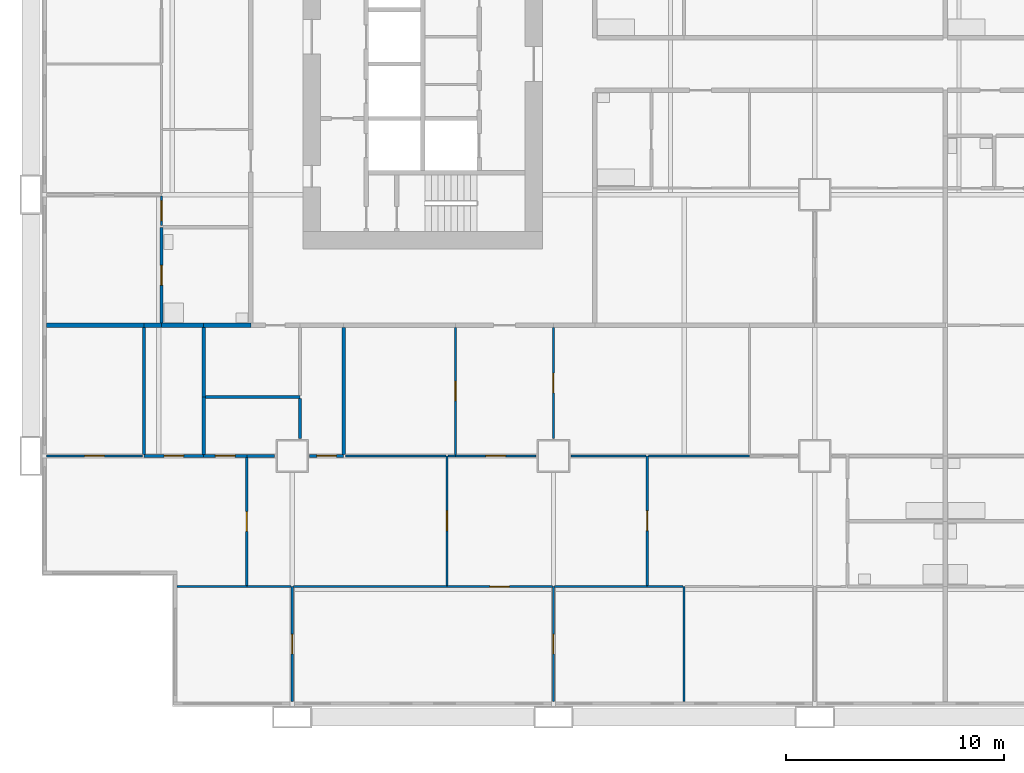
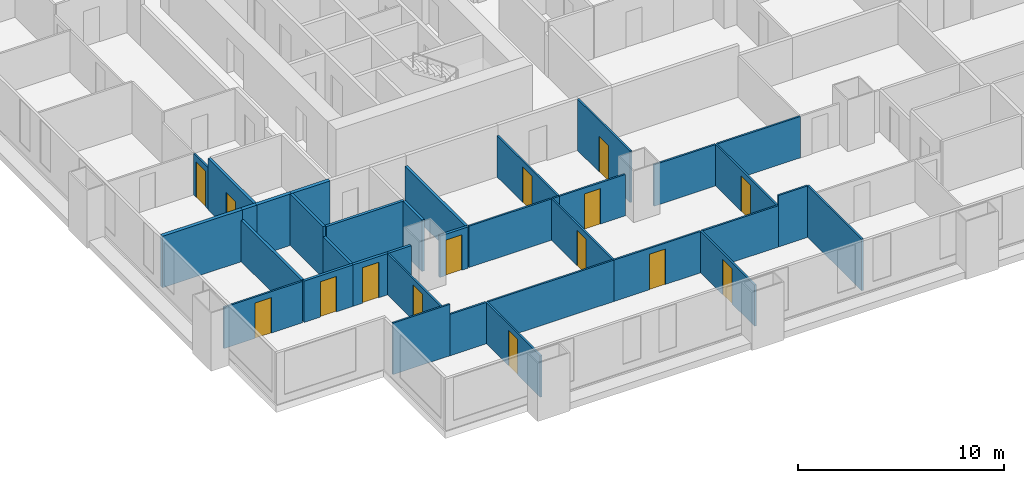
# One storey, part 2 of 14: 36 walls, 15 doors, 15 openings.
"""IFC4 building model written with IfcOpenShell, lengths in metres."""

from ifc_helpers import new_model, si_unit, direction, frame, frame_2d, origin, place, context, subcontext, project, spatial, rectangle, extrude, material, layer, layer_set, type_object, element, fill, save


model = new_model("IFC4")

# Units and contexts
model_context = context("Model", 3, precision=1e-05, world=origin(), true_north=direction((0.0, 1.0)))
body_context = subcontext(model_context, "Body", "Model", "MODEL_VIEW")
ifc_project = project(units=[si_unit("LENGTHUNIT", "METRE"), si_unit("AREAUNIT", "SQUARE_METRE"), si_unit("VOLUMEUNIT", "CUBIC_METRE"), si_unit("PLANEANGLEUNIT", "RADIAN"), si_unit("MASSUNIT", "GRAM", prefix="KILO")], contexts=[model_context])

# Site, building, storey
site_placement = place(None, origin())
site = spatial("IfcSite", under=ifc_project, at=site_placement, CompositionType="ELEMENT")
building_placement = place(site_placement, origin())
building = spatial("IfcBuilding", under=site, at=building_placement, Name="Kitamizu Gate Tower and Museum", CompositionType="ELEMENT")
storey_placement = place(building_placement, frame((0.0, 0.0, 54.14990234375)))
storey = spatial("IfcBuildingStorey", under=building, at=storey_placement, Name="L12", CompositionType="ELEMENT", Elevation=54.14990234375)

# Wall, opening, door
ifc_material_1 = material(Name="Gypsum board on galvanised stud")
ifc_layer_1 = layer(ifc_material_1, 0.10009765625)
ifc_layer_set_1 = layer_set([ifc_layer_1], Name="Gypsum board on galvanised stud")
wall_type_1 = type_object("IfcWallType", Name="Partition 100 NOT RATED", PredefinedType="PARTITIONING", material=ifc_layer_set_1)
wall_1_placement = place(storey_placement, frame((12.0, 0.719970703125, 0.0), z_axis=(0.0, 0.0, 1.0), x_axis=(0.0, 1.0, 0.0)))
wall_1 = element("IfcWall", 1, at=wall_1_placement, inside=storey, type_object=wall_type_1, Name="Partition L12-001", PredefinedType="PARTITIONING", context=body_context, shape_type="SweptSolid", body=[
    extrude(rectangle(XDim=5.280029296875, YDim=0.10009765625, at=frame_2d((2.64013671875, 0.0))), origin(), (0.0, 0.0, 1.0), 2.4501953125),
])
opening_1_placement = place(wall_1_placement, frame((2.18994140625, 0.0, 0.0)))
opening_1 = element("IfcOpeningElement", 2, at=opening_1_placement, cuts=wall_1, Name="Opening L12-006", PredefinedType="OPENING", context=body_context, shape_type="SweptSolid", body=[
    extrude(rectangle(XDim=0.89990234375, YDim=2.10009765625, at=frame_2d((0.449951171875, 1.050048828125))), frame((0.0, 0.06005859375, 0.0), z_axis=(0.0, -1.0, 0.0), x_axis=(1.0, 0.0, 0.0)), (0.0, 0.0, 1.0), 0.1201171875),
])
ifc_material_2 = material(Name="Timber door set", Category="wood")
door_type_1 = type_object("IfcDoorType", Name="Room door 900", OperationType="NOTDEFINED", PredefinedType="DOOR", material=ifc_material_2)
door_1_placement = place(opening_1_placement, origin())
door_1 = element("IfcDoor", 3, at=door_1_placement, inside=storey, type_object=door_type_1, Name="Door L12-006", OperationType="SINGLE_SWING_RIGHT", OverallHeight=2.10009765625, OverallWidth=0.89990234375, PredefinedType="DOOR", context=body_context, shape_type="SweptSolid", body=[
    extrude(rectangle(XDim=0.89990234375, YDim=2.10009765625, at=frame_2d((0.449951171875, 1.050048828125))), frame((0.0, 0.02490234375, 0.0), z_axis=(0.0, -1.0, 0.0), x_axis=(1.0, 0.0, 0.0)), (0.0, 0.0, 1.0), 0.050048828125),
])
fill(opening_1, door_1)

# Walls
wall_2_placement = place(storey_placement, frame((9.9150390625, 6.0, 0.0), z_axis=(0.0, 0.0, 1.0), x_axis=(-1.0, 0.0, 0.0)))
element("IfcWall", 4, at=wall_2_placement, inside=storey, type_object=wall_type_1, Name="Partition L12-002", PredefinedType="PARTITIONING", context=body_context, shape_type="SweptSolid", body=[
    extrude(rectangle(XDim=3.195068359375, YDim=0.10009765625, at=frame_2d((1.59765625, 0.0))), origin(), (0.0, 0.0, 1.0), 3.050048828125),
])
wall_3_placement = place(storey_placement, frame((11.949951171875, 6.0, 0.0), z_axis=(0.0, 0.0, 1.0), x_axis=(-1.0, 0.0, 0.0)))
element("IfcWall", 5, at=wall_3_placement, inside=storey, type_object=wall_type_1, Name="Partition L12-003", PredefinedType="PARTITIONING", context=body_context, shape_type="SweptSolid", body=[
    extrude(rectangle(XDim=2.034912109375, YDim=0.10009765625, at=frame_2d((1.017578125, 0.0))), origin(), (0.0, 0.0, 1.0), 2.4501953125),
])

# Wall, opening, door
wall_4_placement = place(storey_placement, frame((24.0, 0.719970703125, 0.0), z_axis=(0.0, 0.0, 1.0), x_axis=(0.0, 1.0, 0.0)))
wall_4 = element("IfcWall", 6, at=wall_4_placement, inside=storey, type_object=wall_type_1, Name="Partition L12-004", PredefinedType="PARTITIONING", context=body_context, shape_type="SweptSolid", body=[
    extrude(rectangle(XDim=5.280029296875, YDim=0.10009765625, at=frame_2d((2.64013671875, 0.0))), origin(), (0.0, 0.0, 1.0), 2.4501953125),
])
opening_2_placement = place(wall_4_placement, frame((2.18994140625, 0.0, 0.0)))
opening_2 = element("IfcOpeningElement", 7, at=opening_2_placement, cuts=wall_4, Name="Opening L12-009", PredefinedType="OPENING", context=body_context, shape_type="SweptSolid", body=[
    extrude(rectangle(XDim=0.89990234375, YDim=2.10009765625, at=frame_2d((0.449951171875, 1.050048828125))), frame((0.0, 0.06005859375, 0.0), z_axis=(0.0, -1.0, 0.0), x_axis=(1.0, 0.0, 0.0)), (0.0, 0.0, 1.0), 0.1201171875),
])
door_2_placement = place(opening_2_placement, frame((0.89990234375, 0.0, 0.0), x_axis=(-1.0, 0.0, 0.0)))
door_2 = element("IfcDoor", 8, at=door_2_placement, inside=storey, type_object=door_type_1, Name="Door L12-009", OperationType="SINGLE_SWING_RIGHT", OverallHeight=2.10009765625, OverallWidth=0.89990234375, PredefinedType="DOOR", context=body_context, shape_type="SweptSolid", body=[
    extrude(rectangle(XDim=0.89990234375, YDim=2.10009765625, at=frame_2d((0.449951171875, 1.050048828125))), frame((0.0, 0.02490234375, 0.0), z_axis=(0.0, -1.0, 0.0), x_axis=(1.0, 0.0, 0.0)), (0.0, 0.0, 1.0), 0.050048828125),
])
fill(opening_2, door_2)

# Wall
wall_5_placement = place(storey_placement, frame((19.110107421875, 6.0, 0.0), z_axis=(0.0, 0.0, 1.0), x_axis=(-1.0, 0.0, 0.0)))
element("IfcWall", 9, at=wall_5_placement, inside=storey, type_object=wall_type_1, Name="Partition L12-005", PredefinedType="PARTITIONING", context=body_context, shape_type="SweptSolid", body=[
    extrude(rectangle(XDim=7.06005859375, YDim=0.10009765625, at=frame_2d((3.530029296875, 0.0))), origin(), (0.0, 0.0, 1.0), 2.4501953125),
])

# Wall, opening, door
wall_6_placement = place(storey_placement, frame((23.949951171875, 6.0, 0.0), z_axis=(0.0, 0.0, 1.0), x_axis=(-1.0, 0.0, 0.0)))
wall_6 = element("IfcWall", 10, at=wall_6_placement, inside=storey, type_object=wall_type_1, Name="Partition L12-006", PredefinedType="PARTITIONING", context=body_context, shape_type="SweptSolid", body=[
    extrude(rectangle(XDim=4.83984375, YDim=0.10009765625, at=frame_2d((2.419921875, 0.0))), origin(), (0.0, 0.0, 1.0), 2.4501953125),
])
opening_3_placement = place(wall_6_placement, frame((1.969970703125, 0.0, 0.0)))
opening_3 = element("IfcOpeningElement", 11, at=opening_3_placement, cuts=wall_6, Name="Opening L12-003", PredefinedType="OPENING", context=body_context, shape_type="SweptSolid", body=[
    extrude(rectangle(XDim=0.89990234375, YDim=2.10009765625, at=frame_2d((0.449951171875, 1.050048828125))), frame((0.0, 0.06005859375, 0.0), z_axis=(0.0, -1.0, 0.0), x_axis=(1.0, 0.0, 0.0)), (0.0, 0.0, 1.0), 0.1201171875),
])
door_3_placement = place(opening_3_placement, frame((0.89990234375, 0.0, 0.0), x_axis=(-1.0, 0.0, 0.0)))
door_3 = element("IfcDoor", 12, at=door_3_placement, inside=storey, type_object=door_type_1, Name="Door L12-003", OperationType="SINGLE_SWING_RIGHT", OverallHeight=2.10009765625, OverallWidth=0.89990234375, PredefinedType="DOOR", context=body_context, shape_type="SweptSolid", body=[
    extrude(rectangle(XDim=0.89990234375, YDim=2.10009765625, at=frame_2d((0.449951171875, 1.050048828125))), frame((0.0, 0.02490234375, 0.0), z_axis=(0.0, -1.0, 0.0), x_axis=(1.0, 0.0, 0.0)), (0.0, 0.0, 1.0), 0.050048828125),
])
fill(opening_3, door_3)

# Walls
wall_7_placement = place(storey_placement, frame((30.0, 0.719970703125, 0.0), z_axis=(0.0, 0.0, 1.0), x_axis=(0.0, 1.0, 0.0)))
element("IfcWall", 13, at=wall_7_placement, inside=storey, type_object=wall_type_1, Name="Partition L12-007", PredefinedType="PARTITIONING", context=body_context, shape_type="SweptSolid", body=[
    extrude(rectangle(XDim=5.280029296875, YDim=0.10009765625, at=frame_2d((2.64013671875, 0.0))), origin(), (0.0, 0.0, 1.0), 3.050048828125),
])
wall_8_placement = place(storey_placement, frame((28.304931640625, 6.0, 0.0), z_axis=(0.0, 0.0, 1.0), x_axis=(-1.0, 0.0, 0.0)))
element("IfcWall", 14, at=wall_8_placement, inside=storey, type_object=wall_type_1, Name="Partition L12-008", PredefinedType="PARTITIONING", context=body_context, shape_type="SweptSolid", body=[
    extrude(rectangle(XDim=4.2548828125, YDim=0.10009765625, at=frame_2d((2.12744140625, 0.0))), origin(), (0.0, 0.0, 1.0), 2.4501953125),
])
wall_9_placement = place(storey_placement, frame((29.949951171875, 6.0, 0.0), z_axis=(0.0, 0.0, 1.0), x_axis=(-1.0, 0.0, 0.0)))
element("IfcWall", 15, at=wall_9_placement, inside=storey, type_object=wall_type_1, Name="Partition L12-009", PredefinedType="PARTITIONING", context=body_context, shape_type="SweptSolid", body=[
    extrude(rectangle(XDim=1.64501953125, YDim=0.10009765625, at=frame_2d((0.822509765625, 0.0))), origin(), (0.0, 0.0, 1.0), 3.050048828125),
])

# Wall, opening, door
wall_10_placement = place(storey_placement, frame((9.9150390625, 6.050048828125, 0.0), z_axis=(0.0, 0.0, 1.0), x_axis=(0.0, 1.0, 0.0)))
wall_10 = element("IfcWall", 16, at=wall_10_placement, inside=storey, type_object=wall_type_1, Name="Partition L12-015", PredefinedType="PARTITIONING", context=body_context, shape_type="SweptSolid", body=[
    extrude(rectangle(XDim=5.875, YDim=0.10009765625, at=frame_2d((2.9375, 0.0))), origin(), (0.0, 0.0, 1.0), 2.4501953125),
])
opening_4_placement = place(wall_10_placement, frame((2.487548828125, 0.0, 0.0)))
opening_4 = element("IfcOpeningElement", 17, at=opening_4_placement, cuts=wall_10, Name="Opening L12-007", PredefinedType="OPENING", context=body_context, shape_type="SweptSolid", body=[
    extrude(rectangle(XDim=0.89990234375, YDim=2.10009765625, at=frame_2d((0.449951171875, 1.050048828125))), frame((0.0, 0.06005859375, 0.0), z_axis=(0.0, -1.0, 0.0), x_axis=(1.0, 0.0, 0.0)), (0.0, 0.0, 1.0), 0.1201171875),
])
door_4_placement = place(opening_4_placement, frame((0.89990234375, 0.0, 0.0), x_axis=(-1.0, 0.0, 0.0)))
door_4 = element("IfcDoor", 18, at=door_4_placement, inside=storey, type_object=door_type_1, Name="Door L12-007", OperationType="SINGLE_SWING_RIGHT", OverallHeight=2.10009765625, OverallWidth=0.89990234375, PredefinedType="DOOR", context=body_context, shape_type="SweptSolid", body=[
    extrude(rectangle(XDim=0.89990234375, YDim=2.10009765625, at=frame_2d((0.449951171875, 1.050048828125))), frame((0.0, 0.02490234375, 0.0), z_axis=(0.0, -1.0, 0.0), x_axis=(1.0, 0.0, 0.0)), (0.0, 0.0, 1.0), 0.050048828125),
])
fill(opening_4, door_4)

wall_11_placement = place(storey_placement, frame((5.12109375, 12.0, 0.0), z_axis=(0.0, 0.0, 1.0), x_axis=(-1.0, 0.0, 0.0)))
wall_11 = element("IfcWall", 19, at=wall_11_placement, inside=storey, type_object=wall_type_1, Name="Partition L12-016", PredefinedType="PARTITIONING", context=body_context, shape_type="SweptSolid", body=[
    extrude(rectangle(XDim=4.401123046875, YDim=0.10009765625, at=frame_2d((2.20068359375, 0.0))), origin(), (0.0, 0.0, 1.0), 2.4501953125),
])
opening_5_placement = place(wall_11_placement, frame((1.75048828125, 0.0, 0.0)))
opening_5 = element("IfcOpeningElement", 20, at=opening_5_placement, cuts=wall_11, Name="Opening L12-013", PredefinedType="OPENING", context=body_context, shape_type="SweptSolid", body=[
    extrude(rectangle(XDim=0.89990234375, YDim=2.10009765625, at=frame_2d((0.449951171875, 1.050048828125))), frame((0.0, 0.06005859375, 0.0), z_axis=(0.0, -1.0, 0.0), x_axis=(1.0, 0.0, 0.0)), (0.0, 0.0, 1.0), 0.1201171875),
])
door_5_placement = place(opening_5_placement, frame((0.89990234375, 0.0, 0.0), x_axis=(-1.0, 0.0, 0.0)))
door_5 = element("IfcDoor", 21, at=door_5_placement, inside=storey, type_object=door_type_1, Name="Door L12-013", OperationType="SINGLE_SWING_LEFT", OverallHeight=2.10009765625, OverallWidth=0.89990234375, PredefinedType="DOOR", context=body_context, shape_type="SweptSolid", body=[
    extrude(rectangle(XDim=0.89990234375, YDim=2.10009765625, at=frame_2d((0.449951171875, 1.050048828125))), frame((0.0, 0.02490234375, 0.0), z_axis=(0.0, -1.0, 0.0), x_axis=(1.0, 0.0, 0.0)), (0.0, 0.0, 1.0), 0.050048828125),
])
fill(opening_5, door_5)

wall_12_placement = place(storey_placement, frame((19.110107421875, 6.050048828125, 0.0), z_axis=(0.0, 0.0, 1.0), x_axis=(0.0, 1.0, 0.0)))
wall_12 = element("IfcWall", 22, at=wall_12_placement, inside=storey, type_object=wall_type_1, Name="Partition L12-019", PredefinedType="PARTITIONING", context=body_context, shape_type="SweptSolid", body=[
    extrude(rectangle(XDim=5.949951171875, YDim=0.10009765625, at=frame_2d((2.97509765625, 0.0))), origin(), (0.0, 0.0, 1.0), 2.4501953125),
])
opening_6_placement = place(wall_12_placement, frame((2.52490234375, 0.0, 0.0)))
opening_6 = element("IfcOpeningElement", 23, at=opening_6_placement, cuts=wall_12, Name="Opening L12-004", PredefinedType="OPENING", context=body_context, shape_type="SweptSolid", body=[
    extrude(rectangle(XDim=0.89990234375, YDim=2.10009765625, at=frame_2d((0.449951171875, 1.050048828125))), frame((0.0, 0.06005859375, 0.0), z_axis=(0.0, -1.0, 0.0), x_axis=(1.0, 0.0, 0.0)), (0.0, 0.0, 1.0), 0.1201171875),
])
door_6_placement = place(opening_6_placement, origin())
door_6 = element("IfcDoor", 24, at=door_6_placement, inside=storey, type_object=door_type_1, Name="Door L12-004", OperationType="SINGLE_SWING_RIGHT", OverallHeight=2.10009765625, OverallWidth=0.89990234375, PredefinedType="DOOR", context=body_context, shape_type="SweptSolid", body=[
    extrude(rectangle(XDim=0.89990234375, YDim=2.10009765625, at=frame_2d((0.449951171875, 1.050048828125))), frame((0.0, 0.02490234375, 0.0), z_axis=(0.0, -1.0, 0.0), x_axis=(1.0, 0.0, 0.0)), (0.0, 0.0, 1.0), 0.050048828125),
])
fill(opening_6, door_6)

# Wall
wall_13_placement = place(storey_placement, frame((19.06005859375, 12.0, 0.0), z_axis=(0.0, 0.0, 1.0), x_axis=(-1.0, 0.0, 0.0)))
element("IfcWall", 25, at=wall_13_placement, inside=storey, type_object=wall_type_1, Name="Partition L12-022", PredefinedType="PARTITIONING", context=body_context, shape_type="SweptSolid", body=[
    extrude(rectangle(XDim=4.62109375, YDim=0.10009765625, at=frame_2d((2.310546875, 0.0))), origin(), (0.0, 0.0, 1.0), 2.4501953125),
])

# Wall, opening, door
wall_14_placement = place(storey_placement, frame((28.304931640625, 6.050048828125, 0.0), z_axis=(0.0, 0.0, 1.0), x_axis=(0.0, 1.0, 0.0)))
wall_14 = element("IfcWall", 26, at=wall_14_placement, inside=storey, type_object=wall_type_1, Name="Partition L12-023", PredefinedType="PARTITIONING", context=body_context, shape_type="SweptSolid", body=[
    extrude(rectangle(XDim=5.949951171875, YDim=0.10009765625, at=frame_2d((2.97509765625, 0.0))), origin(), (0.0, 0.0, 1.0), 2.4501953125),
])
opening_7_placement = place(wall_14_placement, frame((2.52490234375, 0.0, 0.0)))
opening_7 = element("IfcOpeningElement", 27, at=opening_7_placement, cuts=wall_14, Name="Opening L12-005", PredefinedType="OPENING", context=body_context, shape_type="SweptSolid", body=[
    extrude(rectangle(XDim=0.89990234375, YDim=2.10009765625, at=frame_2d((0.449951171875, 1.050048828125))), frame((0.0, 0.06005859375, 0.0), z_axis=(0.0, -1.0, 0.0), x_axis=(1.0, 0.0, 0.0)), (0.0, 0.0, 1.0), 0.1201171875),
])
door_7_placement = place(opening_7_placement, origin())
door_7 = element("IfcDoor", 28, at=door_7_placement, inside=storey, type_object=door_type_1, Name="Door L12-005", OperationType="SINGLE_SWING_LEFT", OverallHeight=2.10009765625, OverallWidth=0.89990234375, PredefinedType="DOOR", context=body_context, shape_type="SweptSolid", body=[
    extrude(rectangle(XDim=0.89990234375, YDim=2.10009765625, at=frame_2d((0.449951171875, 1.050048828125))), frame((0.0, 0.02490234375, 0.0), z_axis=(0.0, -1.0, 0.0), x_axis=(1.0, 0.0, 0.0)), (0.0, 0.0, 1.0), 0.050048828125),
])
fill(opening_7, door_7)

# Wall
wall_15_placement = place(storey_placement, frame((19.5, 12.0, 0.0), z_axis=(0.0, 0.0, 1.0), x_axis=(-1.0, 0.0, 0.0)))
element("IfcWall", 29, at=wall_15_placement, inside=storey, type_object=wall_type_1, Name="Partition L12-024", PredefinedType="PARTITIONING", context=body_context, shape_type="SweptSolid", body=[
    extrude(rectangle(XDim=0.340087890625, YDim=0.10009765625, at=frame_2d((0.169921875, 0.0))), origin(), (0.0, 0.0, 1.0), 2.4501953125),
])

# Wall, opening, door
wall_16_placement = place(storey_placement, frame((23.199951171875, 12.0, 0.0), z_axis=(0.0, 0.0, 1.0), x_axis=(-1.0, 0.0, 0.0)))
wall_16 = element("IfcWall", 30, at=wall_16_placement, inside=storey, type_object=wall_type_1, Name="Partition L12-025", PredefinedType="PARTITIONING", context=body_context, shape_type="SweptSolid", body=[
    extrude(rectangle(XDim=3.699951171875, YDim=0.10009765625, at=frame_2d((1.85009765625, 0.0))), origin(), (0.0, 0.0, 1.0), 2.4501953125),
])
opening_8_placement = place(wall_16_placement, frame((1.39990234375, 0.0, 0.0)))
opening_8 = element("IfcOpeningElement", 31, at=opening_8_placement, cuts=wall_16, Name="Opening L12-002", PredefinedType="OPENING", context=body_context, shape_type="SweptSolid", body=[
    extrude(rectangle(XDim=0.89990234375, YDim=2.10009765625, at=frame_2d((0.449951171875, 1.050048828125))), frame((0.0, 0.06005859375, 0.0), z_axis=(0.0, -1.0, 0.0), x_axis=(1.0, 0.0, 0.0)), (0.0, 0.0, 1.0), 0.1201171875),
])
door_8_placement = place(opening_8_placement, origin())
door_8 = element("IfcDoor", 32, at=door_8_placement, inside=storey, type_object=door_type_1, Name="Door L12-002", OperationType="SINGLE_SWING_RIGHT", OverallHeight=2.10009765625, OverallWidth=0.89990234375, PredefinedType="DOOR", context=body_context, shape_type="SweptSolid", body=[
    extrude(rectangle(XDim=0.89990234375, YDim=2.10009765625, at=frame_2d((0.449951171875, 1.050048828125))), frame((0.0, 0.02490234375, 0.0), z_axis=(0.0, -1.0, 0.0), x_axis=(1.0, 0.0, 0.0)), (0.0, 0.0, 1.0), 0.050048828125),
])
fill(opening_8, door_8)

# Walls
wall_17_placement = place(storey_placement, frame((28.2548828125, 12.0, 0.0), z_axis=(0.0, 0.0, 1.0), x_axis=(-1.0, 0.0, 0.0)))
element("IfcWall", 33, at=wall_17_placement, inside=storey, type_object=wall_type_1, Name="Partition L12-026", PredefinedType="PARTITIONING", context=body_context, shape_type="SweptSolid", body=[
    extrude(rectangle(XDim=3.454833984375, YDim=0.10009765625, at=frame_2d((1.7275390625, 0.0))), origin(), (0.0, 0.0, 1.0), 2.4501953125),
])
wall_18_placement = place(storey_placement, frame((33.0, 12.0, 0.0), z_axis=(0.0, 0.0, 1.0), x_axis=(-1.0, 0.0, 0.0)))
element("IfcWall", 34, at=wall_18_placement, inside=storey, type_object=wall_type_1, Name="Partition L12-029", PredefinedType="PARTITIONING", context=body_context, shape_type="SweptSolid", body=[
    extrude(rectangle(XDim=4.64501953125, YDim=0.10009765625, at=frame_2d((2.322509765625, 0.0))), origin(), (0.0, 0.0, 1.0), 2.4501953125),
])

# Wall, opening, door
wall_19_placement = place(storey_placement, frame((19.5, 12.050048828125, 0.0), z_axis=(0.0, 0.0, 1.0), x_axis=(0.0, 1.0, 0.0)))
wall_19 = element("IfcWall", 35, at=wall_19_placement, inside=storey, type_object=wall_type_1, Name="Partition L12-049", PredefinedType="PARTITIONING", context=body_context, shape_type="SweptSolid", body=[
    extrude(rectangle(XDim=5.849853515625, YDim=0.10009765625, at=frame_2d((2.9248046875, 0.0))), origin(), (0.0, 0.0, 1.0), 2.4501953125),
])
opening_9_placement = place(wall_19_placement, frame((2.47509765625, 0.0, 0.0)))
opening_9 = element("IfcOpeningElement", 36, at=opening_9_placement, cuts=wall_19, Name="Opening L12-017", PredefinedType="OPENING", context=body_context, shape_type="SweptSolid", body=[
    extrude(rectangle(XDim=0.89990234375, YDim=2.10009765625, at=frame_2d((0.449951171875, 1.050048828125))), frame((0.0, 0.06005859375, 0.0), z_axis=(0.0, -1.0, 0.0), x_axis=(1.0, 0.0, 0.0)), (0.0, 0.0, 1.0), 0.1201171875),
])
door_9_placement = place(opening_9_placement, origin())
door_9 = element("IfcDoor", 37, at=door_9_placement, inside=storey, type_object=door_type_1, Name="Door L12-017", OperationType="SINGLE_SWING_LEFT", OverallHeight=2.10009765625, OverallWidth=0.89990234375, PredefinedType="DOOR", context=body_context, shape_type="SweptSolid", body=[
    extrude(rectangle(XDim=0.89990234375, YDim=2.10009765625, at=frame_2d((0.449951171875, 1.050048828125))), frame((0.0, 0.02490234375, 0.0), z_axis=(0.0, -1.0, 0.0), x_axis=(1.0, 0.0, 0.0)), (0.0, 0.0, 1.0), 0.050048828125),
])
fill(opening_9, door_9)

wall_20_placement = place(storey_placement, frame((24.0, 12.800048828125, 0.0), z_axis=(0.0, 0.0, 1.0), x_axis=(0.0, 1.0, 0.0)))
wall_20 = element("IfcWall", 38, at=wall_20_placement, inside=storey, type_object=wall_type_1, Name="Partition L12-051", PredefinedType="PARTITIONING", context=body_context, shape_type="SweptSolid", body=[
    extrude(rectangle(XDim=5.099853515625, YDim=0.10009765625, at=frame_2d((2.5498046875, 0.0))), origin(), (0.0, 0.0, 1.0), 3.050048828125),
])
opening_10_placement = place(wall_20_placement, frame((2.10009765625, 0.0, 0.0)))
opening_10 = element("IfcOpeningElement", 39, at=opening_10_placement, cuts=wall_20, Name="Opening L12-018", PredefinedType="OPENING", context=body_context, shape_type="SweptSolid", body=[
    extrude(rectangle(XDim=0.89990234375, YDim=2.10009765625, at=frame_2d((0.449951171875, 1.050048828125))), frame((0.0, 0.06005859375, 0.0), z_axis=(0.0, -1.0, 0.0), x_axis=(1.0, 0.0, 0.0)), (0.0, 0.0, 1.0), 0.1201171875),
])
door_10_placement = place(opening_10_placement, frame((0.89990234375, 0.0, 0.0), x_axis=(-1.0, 0.0, 0.0)))
door_10 = element("IfcDoor", 40, at=door_10_placement, inside=storey, type_object=door_type_1, Name="Door L12-018", OperationType="SINGLE_SWING_LEFT", OverallHeight=2.10009765625, OverallWidth=0.89990234375, PredefinedType="DOOR", context=body_context, shape_type="SweptSolid", body=[
    extrude(rectangle(XDim=0.89990234375, YDim=2.10009765625, at=frame_2d((0.449951171875, 1.050048828125))), frame((0.0, 0.02490234375, 0.0), z_axis=(0.0, -1.0, 0.0), x_axis=(1.0, 0.0, 0.0)), (0.0, 0.0, 1.0), 0.050048828125),
])
fill(opening_10, door_10)

wall_21_placement = place(storey_placement, frame((6.0, 22.574951171875, 0.0), z_axis=(0.0, 0.0, 1.0), x_axis=(0.0, 1.0, 0.0)))
wall_21 = element("IfcWall", 41, at=wall_21_placement, inside=storey, type_object=wall_type_1, Name="Partition L12-158", PredefinedType="PARTITIONING", context=body_context, shape_type="SweptSolid", body=[
    extrude(rectangle(XDim=1.375, YDim=0.10009765625, at=frame_2d((0.6875, 0.0))), origin(), (0.0, 0.0, 1.0), 2.4501953125),
])
opening_11_placement = place(wall_21_placement, frame((0.237548828125, 0.0, 0.0)))
opening_11 = element("IfcOpeningElement", 42, at=opening_11_placement, cuts=wall_21, Name="Opening L12-056", PredefinedType="OPENING", context=body_context, shape_type="SweptSolid", body=[
    extrude(rectangle(XDim=0.89990234375, YDim=2.10009765625, at=frame_2d((0.449951171875, 1.050048828125))), frame((0.0, 0.06005859375, 0.0), z_axis=(0.0, -1.0, 0.0), x_axis=(1.0, 0.0, 0.0)), (0.0, 0.0, 1.0), 0.1201171875),
])
door_11_placement = place(opening_11_placement, origin())
door_11 = element("IfcDoor", 43, at=door_11_placement, inside=storey, type_object=door_type_1, Name="Door L12-056", OperationType="SINGLE_SWING_LEFT", OverallHeight=2.10009765625, OverallWidth=0.89990234375, PredefinedType="DOOR", context=body_context, shape_type="SweptSolid", body=[
    extrude(rectangle(XDim=0.89990234375, YDim=2.10009765625, at=frame_2d((0.449951171875, 1.050048828125))), frame((0.0, 0.02490234375, 0.0), z_axis=(0.0, -1.0, 0.0), x_axis=(1.0, 0.0, 0.0)), (0.0, 0.0, 1.0), 0.050048828125),
])
fill(opening_11, door_11)

ifc_material_3 = material(Name="Gypsum board on galvanised stud")
ifc_layer_2 = layer(ifc_material_3, 0.14990234375)
ifc_layer_set_2 = layer_set([ifc_layer_2], Name="Gypsum board on galvanised stud")
wall_type_2 = type_object("IfcWallType", Name="Partition 150", PredefinedType="PARTITIONING", material=ifc_layer_set_2)
wall_22_placement = place(storey_placement, frame((7.93896484375, 12.0, 0.0), z_axis=(0.0, 0.0, 1.0), x_axis=(-1.0, 0.0, 0.0)))
wall_22 = element("IfcWall", 44, at=wall_22_placement, inside=storey, type_object=wall_type_2, Name="Partition L12-017", PredefinedType="PARTITIONING", context=body_context, shape_type="SweptSolid", body=[
    extrude(rectangle(XDim=2.742919921875, YDim=0.14990234375, at=frame_2d((1.37158203125, 0.0))), origin(), (0.0, 0.0, 1.0), 2.4501953125),
])
opening_12_placement = place(wall_22_placement, frame((0.92138671875, 0.0, 0.0)))
opening_12 = element("IfcOpeningElement", 45, at=opening_12_placement, cuts=wall_22, Name="Opening L12-014", PredefinedType="OPENING", context=body_context, shape_type="SweptSolid", body=[
    extrude(rectangle(XDim=0.89990234375, YDim=2.10009765625, at=frame_2d((0.449951171875, 1.050048828125))), frame((0.0, 0.0849609375, 0.0), z_axis=(0.0, -1.0, 0.0), x_axis=(1.0, 0.0, 0.0)), (0.0, 0.0, 1.0), 0.169921875),
])
ifc_material_4 = material(Name="Timber door set", Category="wood")
door_type_2 = type_object("IfcDoorType", Name="Bathroom door 900", OperationType="NOTDEFINED", PredefinedType="DOOR", material=ifc_material_4)
door_12_placement = place(opening_12_placement, frame((0.89990234375, 0.0, 0.0), x_axis=(-1.0, 0.0, 0.0)))
door_12 = element("IfcDoor", 46, at=door_12_placement, inside=storey, type_object=door_type_2, Name="Bathroom door L12-014", OperationType="SINGLE_SWING_RIGHT", OverallHeight=2.10009765625, OverallWidth=0.89990234375, PredefinedType="DOOR", context=body_context, shape_type="SweptSolid", body=[
    extrude(rectangle(XDim=0.89990234375, YDim=2.10009765625, at=frame_2d((0.449951171875, 1.050048828125))), frame((0.0, 0.02490234375, 0.0), z_axis=(0.0, -1.0, 0.0), x_axis=(1.0, 0.0, 0.0)), (0.0, 0.0, 1.0), 0.050048828125),
])
fill(opening_12, door_12)

wall_23_placement = place(storey_placement, frame((9.9150390625, 12.0, 0.0), z_axis=(0.0, 0.0, 1.0), x_axis=(-1.0, 0.0, 0.0)))
wall_23 = element("IfcWall", 47, at=wall_23_placement, inside=storey, type_object=wall_type_2, Name="Partition L12-018", PredefinedType="PARTITIONING", context=body_context, shape_type="SweptSolid", body=[
    extrude(rectangle(XDim=1.97607421875, YDim=0.14990234375, at=frame_2d((0.988037109375, 0.0))), origin(), (0.0, 0.0, 1.0), 2.4501953125),
])
opening_13_placement = place(wall_23_placement, frame((0.5380859375, 0.0, 0.0)))
opening_13 = element("IfcOpeningElement", 48, at=opening_13_placement, cuts=wall_23, Name="Opening L12-015", PredefinedType="OPENING", context=body_context, shape_type="SweptSolid", body=[
    extrude(rectangle(XDim=0.89990234375, YDim=2.10009765625, at=frame_2d((0.449951171875, 1.050048828125))), frame((0.0, 0.0849609375, 0.0), z_axis=(0.0, -1.0, 0.0), x_axis=(1.0, 0.0, 0.0)), (0.0, 0.0, 1.0), 0.169921875),
])
door_13_placement = place(opening_13_placement, frame((0.89990234375, 0.0, 0.0), x_axis=(-1.0, 0.0, 0.0)))
door_13 = element("IfcDoor", 49, at=door_13_placement, inside=storey, type_object=door_type_2, Name="Bathroom door L12-015", OperationType="SINGLE_SWING_RIGHT", OverallHeight=2.10009765625, OverallWidth=0.89990234375, PredefinedType="DOOR", context=body_context, shape_type="SweptSolid", body=[
    extrude(rectangle(XDim=0.89990234375, YDim=2.10009765625, at=frame_2d((0.449951171875, 1.050048828125))), frame((0.0, 0.02490234375, 0.0), z_axis=(0.0, -1.0, 0.0), x_axis=(1.0, 0.0, 0.0)), (0.0, 0.0, 1.0), 0.050048828125),
])
fill(opening_13, door_13)

# Wall
wall_24_placement = place(storey_placement, frame((11.199951171875, 12.0, 0.0), z_axis=(0.0, 0.0, 1.0), x_axis=(-1.0, 0.0, 0.0)))
element("IfcWall", 50, at=wall_24_placement, inside=storey, type_object=wall_type_2, Name="Partition L12-020", PredefinedType="PARTITIONING", context=body_context, shape_type="SweptSolid", body=[
    extrude(rectangle(XDim=1.284912109375, YDim=0.14990234375, at=frame_2d((0.642578125, 0.0))), origin(), (0.0, 0.0, 1.0), 2.4501953125),
])

# Wall, opening, door
wall_25_placement = place(storey_placement, frame((14.364013671875, 12.0, 0.0), z_axis=(0.0, 0.0, 1.0), x_axis=(-1.0, 0.0, 0.0)))
wall_25 = element("IfcWall", 51, at=wall_25_placement, inside=storey, type_object=wall_type_2, Name="Partition L12-021", PredefinedType="PARTITIONING", context=body_context, shape_type="SweptSolid", body=[
    extrude(rectangle(XDim=1.56396484375, YDim=0.14990234375, at=frame_2d((0.781982421875, 0.0))), origin(), (0.0, 0.0, 1.0), 2.4501953125),
])
opening_14_placement = place(wall_25_placement, frame((0.33203125, 0.0, 0.0)))
opening_14 = element("IfcOpeningElement", 52, at=opening_14_placement, cuts=wall_25, Name="Opening L12-016", PredefinedType="OPENING", context=body_context, shape_type="SweptSolid", body=[
    extrude(rectangle(XDim=0.89990234375, YDim=2.10009765625, at=frame_2d((0.449951171875, 1.050048828125))), frame((0.0, 0.0849609375, 0.0), z_axis=(0.0, -1.0, 0.0), x_axis=(1.0, 0.0, 0.0)), (0.0, 0.0, 1.0), 0.169921875),
])
door_14_placement = place(opening_14_placement, frame((0.89990234375, 0.0, 0.0), x_axis=(-1.0, 0.0, 0.0)))
door_14 = element("IfcDoor", 53, at=door_14_placement, inside=storey, type_object=door_type_2, Name="Bathroom door L12-016", OperationType="SINGLE_SWING_LEFT", OverallHeight=2.10009765625, OverallWidth=0.89990234375, PredefinedType="DOOR", context=body_context, shape_type="SweptSolid", body=[
    extrude(rectangle(XDim=0.89990234375, YDim=2.10009765625, at=frame_2d((0.449951171875, 1.050048828125))), frame((0.0, 0.02490234375, 0.0), z_axis=(0.0, -1.0, 0.0), x_axis=(1.0, 0.0, 0.0)), (0.0, 0.0, 1.0), 0.050048828125),
])
fill(opening_14, door_14)

# Walls
wall_26_placement = place(storey_placement, frame((5.196044921875, 12.074951171875, 0.0), z_axis=(0.0, 0.0, 1.0), x_axis=(0.0, 1.0, 0.0)))
element("IfcWall", 54, at=wall_26_placement, inside=storey, type_object=wall_type_2, Name="Partition L12-036", PredefinedType="PARTITIONING", context=body_context, shape_type="SweptSolid", body=[
    extrude(rectangle(XDim=5.824951171875, YDim=0.14990234375, at=frame_2d((2.91259765625, 0.0))), origin(), (0.0, 0.0, 1.0), 2.4501953125),
])
wall_27_placement = place(storey_placement, frame((7.93896484375, 12.074951171875, 0.0), z_axis=(0.0, 0.0, 1.0), x_axis=(0.0, 1.0, 0.0)))
element("IfcWall", 55, at=wall_27_placement, inside=storey, type_object=wall_type_2, Name="Partition L12-038", PredefinedType="PARTITIONING", context=body_context, shape_type="SweptSolid", body=[
    extrude(rectangle(XDim=2.636962890625, YDim=0.14990234375, at=frame_2d((1.318359375, 0.0))), origin(), (0.0, 0.0, 1.0), 2.4501953125),
])
wall_28_placement = place(storey_placement, frame((7.93896484375, 14.7119140625, 0.0), z_axis=(0.0, 0.0, 1.0), x_axis=(0.0, 1.0, 0.0)))
element("IfcWall", 56, at=wall_28_placement, inside=storey, type_object=wall_type_2, Name="Partition L12-039", PredefinedType="PARTITIONING", context=body_context, shape_type="SweptSolid", body=[
    extrude(rectangle(XDim=3.18798828125, YDim=0.14990234375, at=frame_2d((1.593994140625, 0.0))), origin(), (0.0, 0.0, 1.0), 3.050048828125),
])
wall_29_placement = place(storey_placement, frame((12.364013671875, 14.7119140625, 0.0), z_axis=(0.0, 0.0, 1.0), x_axis=(-1.0, 0.0, 0.0)))
element("IfcWall", 57, at=wall_29_placement, inside=storey, type_object=wall_type_2, Name="Partition L12-042", PredefinedType="PARTITIONING", context=body_context, shape_type="SweptSolid", body=[
    extrude(rectangle(XDim=4.35009765625, YDim=0.14990234375, at=frame_2d((2.175048828125, 0.0))), origin(), (0.0, 0.0, 1.0), 3.050048828125),
])
wall_30_placement = place(storey_placement, frame((12.364013671875, 12.800048828125, 0.0), z_axis=(0.0, 0.0, 1.0), x_axis=(0.0, 1.0, 0.0)))
element("IfcWall", 58, at=wall_30_placement, inside=storey, type_object=wall_type_2, Name="Partition L12-043", PredefinedType="PARTITIONING", context=body_context, shape_type="SweptSolid", body=[
    extrude(rectangle(XDim=1.8369140625, YDim=0.14990234375, at=frame_2d((0.91845703125, 0.0))), origin(), (0.0, 0.0, 1.0), 3.050048828125),
])
wall_31_placement = place(storey_placement, frame((14.364013671875, 12.074951171875, 0.0), z_axis=(0.0, 0.0, 1.0), x_axis=(0.0, 1.0, 0.0)))
element("IfcWall", 59, at=wall_31_placement, inside=storey, type_object=wall_type_2, Name="Partition L12-047", PredefinedType="PARTITIONING", context=body_context, shape_type="SweptSolid", body=[
    extrude(rectangle(XDim=5.824951171875, YDim=0.14990234375, at=frame_2d((2.91259765625, 0.0))), origin(), (0.0, 0.0, 1.0), 2.4501953125),
])

# Wall, opening, door
wall_32_placement = place(storey_placement, frame((6.0, 18.10009765625, 0.0), z_axis=(0.0, 0.0, 1.0), x_axis=(0.0, 1.0, 0.0)))
wall_32 = element("IfcWall", 60, at=wall_32_placement, inside=storey, type_object=wall_type_2, Name="Partition L12-157", PredefinedType="PARTITIONING", context=body_context, shape_type="SweptSolid", body=[
    extrude(rectangle(XDim=4.39990234375, YDim=0.14990234375, at=frame_2d((2.199951171875, 0.0))), origin(), (0.0, 0.0, 1.0), 3.050048828125),
])
opening_15_placement = place(wall_32_placement, frame((1.75, 0.0, 0.0)))
opening_15 = element("IfcOpeningElement", 61, at=opening_15_placement, cuts=wall_32, Name="Opening L12-060", PredefinedType="OPENING", context=body_context, shape_type="SweptSolid", body=[
    extrude(rectangle(XDim=0.89990234375, YDim=2.10009765625, at=frame_2d((0.449951171875, 1.050048828125))), frame((0.0, 0.0849609375, 0.0), z_axis=(0.0, -1.0, 0.0), x_axis=(1.0, 0.0, 0.0)), (0.0, 0.0, 1.0), 0.169921875),
])
door_15_placement = place(opening_15_placement, frame((0.89990234375, 0.0, 0.0), x_axis=(-1.0, 0.0, 0.0)))
door_15 = element("IfcDoor", 62, at=door_15_placement, inside=storey, type_object=door_type_2, Name="Bathroom door L12-060", OperationType="SINGLE_SWING_LEFT", OverallHeight=2.10009765625, OverallWidth=0.89990234375, PredefinedType="DOOR", context=body_context, shape_type="SweptSolid", body=[
    extrude(rectangle(XDim=0.89990234375, YDim=2.10009765625, at=frame_2d((0.449951171875, 1.050048828125))), frame((0.0, 0.02490234375, 0.0), z_axis=(0.0, -1.0, 0.0), x_axis=(1.0, 0.0, 0.0)), (0.0, 0.0, 1.0), 0.050048828125),
])
fill(opening_15, door_15)

# Walls
ifc_material_5 = material(Name="Gypsum board on galvanised stud")
ifc_layer_3 = layer(ifc_material_5, 0.199951171875)
ifc_layer_set_3 = layer_set([ifc_layer_3], Name="Gypsum board on galvanised stud")
wall_type_3 = type_object("IfcWallType", Name="Partition 200", PredefinedType="PARTITIONING", material=ifc_layer_set_3)
wall_33_placement = place(storey_placement, frame((5.196044921875, 18.0, 0.0), z_axis=(0.0, 0.0, 1.0), x_axis=(-1.0, 0.0, 0.0)))
element("IfcWall", 63, at=wall_33_placement, inside=storey, type_object=wall_type_3, Name="Partition L12-037", PredefinedType="PARTITIONING", context=body_context, shape_type="SweptSolid", body=[
    extrude(rectangle(XDim=4.47607421875, YDim=0.199951171875, at=frame_2d((2.238037109375, 0.0))), origin(), (0.0, 0.0, 1.0), 3.050048828125),
])
wall_34_placement = place(storey_placement, frame((6.0, 18.0, 0.0), z_axis=(0.0, 0.0, 1.0), x_axis=(-1.0, 0.0, 0.0)))
element("IfcWall", 64, at=wall_34_placement, inside=storey, type_object=wall_type_3, Name="Partition L12-040", PredefinedType="PARTITIONING", context=body_context, shape_type="SweptSolid", body=[
    extrude(rectangle(XDim=0.803955078125, YDim=0.199951171875, at=frame_2d((0.40185546875, 0.0))), origin(), (0.0, 0.0, 1.0), 3.050048828125),
])
wall_35_placement = place(storey_placement, frame((7.93896484375, 18.0, 0.0), z_axis=(0.0, 0.0, 1.0), x_axis=(-1.0, 0.0, 0.0)))
element("IfcWall", 65, at=wall_35_placement, inside=storey, type_object=wall_type_3, Name="Partition L12-041", PredefinedType="PARTITIONING", context=body_context, shape_type="SweptSolid", body=[
    extrude(rectangle(XDim=1.93896484375, YDim=0.199951171875, at=frame_2d((0.969482421875, 0.0))), origin(), (0.0, 0.0, 1.0), 3.050048828125),
])
wall_36_placement = place(storey_placement, frame((10.10009765625, 18.0, 0.0), z_axis=(0.0, 0.0, 1.0), x_axis=(-1.0, 0.0, 0.0)))
element("IfcWall", 66, at=wall_36_placement, inside=storey, type_object=wall_type_3, Name="Partition L12-045", PredefinedType="PARTITIONING", context=body_context, shape_type="SweptSolid", body=[
    extrude(rectangle(XDim=2.1611328125, YDim=0.199951171875, at=frame_2d((1.08056640625, 0.0))), origin(), (0.0, 0.0, 1.0), 3.050048828125),
])

save(model, "model.ifc")
